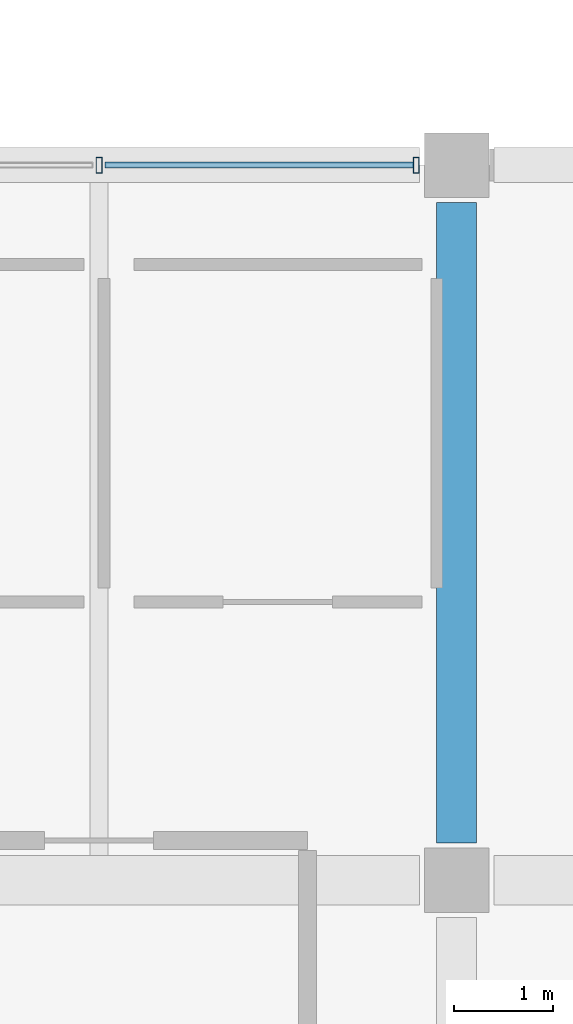
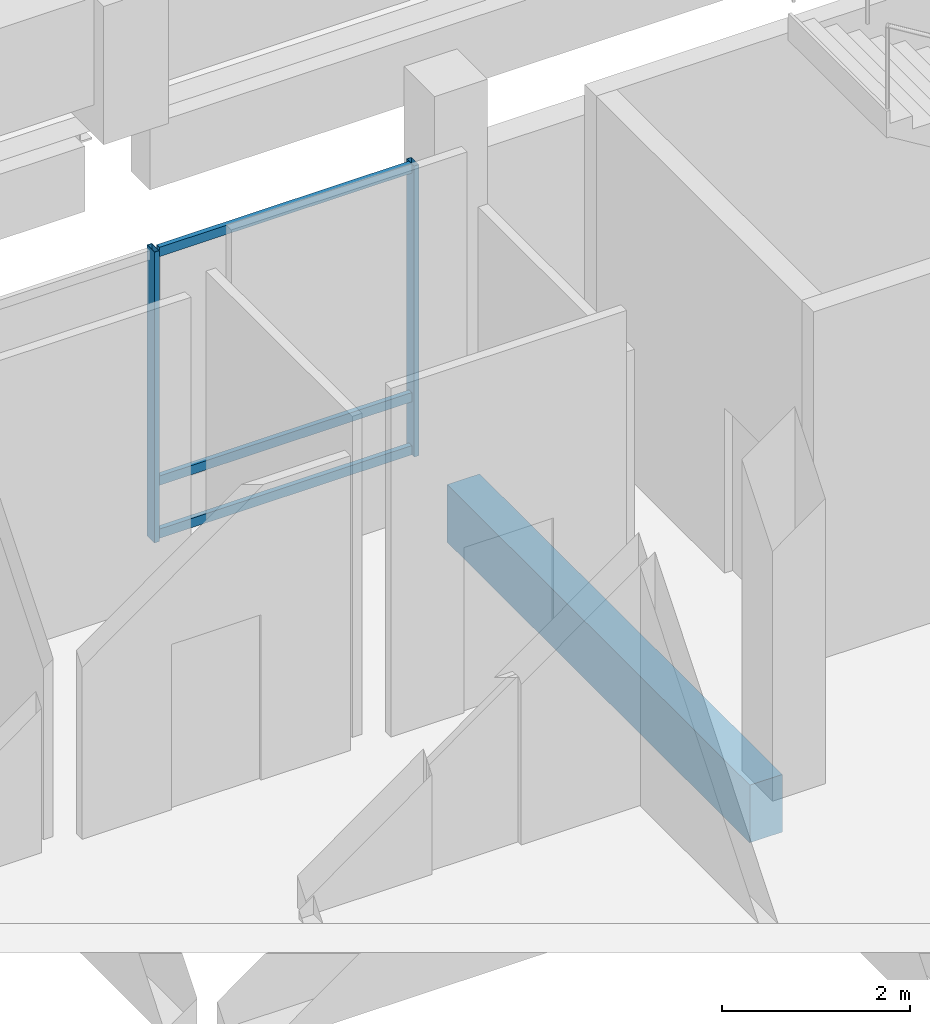
# One storey, part 38 of 116: 5 members, 1 beam, 1 element without a shape of its own.
"""IFC4 building model written with IfcOpenShell, lengths in metres."""

from ifc_helpers import new_model, si_unit, direction, frame, origin, origin_2d, place, context, subcontext, project, spatial, rectangle, hollow_rectangle, extrude, material, material_profile, profile_set, type_object, element, aggregate, save


model = new_model("IFC4")

# Units and contexts
model_context = context("Model", 3, precision=1e-05, world=origin(), true_north=direction((0.0, 1.0)))
body_context = subcontext(model_context, "Body", "Model", "MODEL_VIEW")
ifc_project = project(units=[si_unit("LENGTHUNIT", "METRE"), si_unit("AREAUNIT", "SQUARE_METRE"), si_unit("VOLUMEUNIT", "CUBIC_METRE"), si_unit("PLANEANGLEUNIT", "RADIAN"), si_unit("MASSUNIT", "GRAM", prefix="KILO")], contexts=[model_context])

# Site, building, storey
site_placement = place(None, origin())
site = spatial("IfcSite", under=ifc_project, at=site_placement, CompositionType="ELEMENT")
building_placement = place(site_placement, origin())
building = spatial("IfcBuilding", under=site, at=building_placement, Name="Cendralis Lancet Convention Centre", CompositionType="ELEMENT")
storey_placement = place(building_placement, frame((0.0, 0.0, 15.0)))
storey = spatial("IfcBuildingStorey", under=building, at=storey_placement, Name="L03", CompositionType="ELEMENT", Elevation=15.0)

# Curtain wall, members
ifc_material_1 = material(Name="Anodised bronze architectural aluminium", Category="aluminium")
curtain_wall_type = type_object("IfcCurtainWallType", Name="ARC-CW-CL02", PredefinedType="USERDEFINED", material=ifc_material_1)
curtain_wall_placement = place(storey_placement, origin())
curtain_wall = element("IfcCurtainWall", 1, at=curtain_wall_placement, inside=storey, type_object=curtain_wall_type, Name="L03 Curtain Wall CW-CL2 #190", ObjectType="CURTAIN WALL", PredefinedType="USERDEFINED")
ifc_material_profile_1 = material_profile(ifc_material_1, hollow_rectangle(XDim=0.06005859375, YDim=0.159912109375, WallThickness=0.00390625, at=origin_2d()), Name="AL-MULL 60x160x4.0")
ifc_profile_set_1 = profile_set([ifc_material_profile_1], Name="Anodised bronze architectural aluminium")
member_type_1 = type_object("IfcMemberType", Name="ARC-CW-ML01", PredefinedType="MULLION", material=ifc_profile_set_1)
member_1_placement = place(storey_placement, frame((193.199951171875, 36.0, 0.0), z_axis=(0.0, 0.0, 1.0), x_axis=(1.0, 0.0, 0.0)))
member_1 = element("IfcMember", 2, at=member_1_placement, type_object=member_type_1, Name="Mullion CW2-CW-CL2-L03-190-M1", PredefinedType="MULLION", context=body_context, shape_type="SweptSolid", body=[
    extrude(hollow_rectangle(XDim=0.06005859375, YDim=0.159912109375, WallThickness=0.00390625, at=origin_2d()), origin(), (0.0, 0.0, 1.0), 3.784912109375),
])
member_2_placement = place(storey_placement, frame((196.39501953125, 36.0, 0.0), z_axis=(0.0, 0.0, 1.0), x_axis=(1.0, 0.0, 0.0)))
member_2 = element("IfcMember", 3, at=member_2_placement, type_object=member_type_1, Name="Mullion CW2-CW-CL2-L03-190-M2", PredefinedType="MULLION", context=body_context, shape_type="SweptSolid", body=[
    extrude(hollow_rectangle(XDim=0.06005859375, YDim=0.159912109375, WallThickness=0.00390625, at=origin_2d()), origin(), (0.0, 0.0, 1.0), 3.784912109375),
])
ifc_material_profile_2 = material_profile(ifc_material_1, hollow_rectangle(XDim=0.06005859375, YDim=0.1201171875, WallThickness=0.00390625, at=origin_2d()), Name="AL-TRAN 60x120x4.0")
ifc_profile_set_2 = profile_set([ifc_material_profile_2], Name="Anodised bronze architectural aluminium")
member_type_2 = type_object("IfcMemberType", Name="ARC-CW-TR01", PredefinedType="USERDEFINED", material=ifc_profile_set_2)
member_3_placement = place(storey_placement, frame((193.260009765625, 36.0, 0.06005859375), z_axis=(1.0, 0.0, 0.0), x_axis=(0.0, 1.0, 0.0)))
member_3 = element("IfcMember", 4, at=member_3_placement, type_object=member_type_2, Name="Transom CW2-CW-CL2-L03-190-T1BOT", ObjectType="TRANSOM", PredefinedType="USERDEFINED", context=body_context, shape_type="SweptSolid", body=[
    extrude(hollow_rectangle(XDim=0.06005859375, YDim=0.1201171875, WallThickness=0.00390625, at=origin_2d()), origin(), (0.0, 0.0, 1.0), 3.10498046875),
])
member_4_placement = place(storey_placement, frame((193.260009765625, 36.0, 0.75), z_axis=(1.0, 0.0, 0.0), x_axis=(0.0, 1.0, 0.0)))
member_4 = element("IfcMember", 5, at=member_4_placement, type_object=member_type_2, Name="Transom CW2-CW-CL2-L03-190-T1MID", ObjectType="TRANSOM", PredefinedType="USERDEFINED", context=body_context, shape_type="SweptSolid", body=[
    extrude(hollow_rectangle(XDim=0.06005859375, YDim=0.1201171875, WallThickness=0.00390625, at=origin_2d()), origin(), (0.0, 0.0, 1.0), 3.10498046875),
])
member_5_placement = place(storey_placement, frame((193.260009765625, 36.0, 3.72509765625), z_axis=(1.0, 0.0, 0.0), x_axis=(0.0, 1.0, 0.0)))
member_5 = element("IfcMember", 6, at=member_5_placement, type_object=member_type_2, Name="Transom CW2-CW-CL2-L03-190-T1TOP", ObjectType="TRANSOM", PredefinedType="USERDEFINED", context=body_context, shape_type="SweptSolid", body=[
    extrude(hollow_rectangle(XDim=0.06005859375, YDim=0.1201171875, WallThickness=0.00390625, at=origin_2d()), origin(), (0.0, 0.0, 1.0), 3.10498046875),
])
aggregate(curtain_wall, [member_1, member_2, member_3, member_4, member_5])

# Beam
ifc_material_2 = material(Name="Concrete G35 (C35/45)", Category="concrete")
ifc_material_profile_3 = material_profile(ifc_material_2, rectangle(XDim=0.39990234375, YDim=0.75, at=origin_2d()), Name="RCB 400x750")
ifc_profile_set_3 = profile_set([ifc_material_profile_3], Name="Concrete G35 (C35/45)")
beam_type = type_object("IfcBeamType", Name="STR-BM-BG12", PredefinedType="BEAM", material=ifc_profile_set_3)
beam_placement = place(storey_placement, frame((196.800048828125, 29.175048828125, -0.635009765625), z_axis=(0.0, 1.0, 0.0), x_axis=(-1.0, 0.0, 0.0)))
element("IfcBeam", 7, at=beam_placement, inside=storey, type_object=beam_type, Name="L03 Beam BG12 #0466", PredefinedType="BEAM", context=body_context, shape_type="SweptSolid", body=[
    extrude(rectangle(XDim=0.39990234375, YDim=0.75, at=origin_2d()), origin(), (0.0, 0.0, 1.0), 6.449951171875),
])

save(model, "model.ifc")
